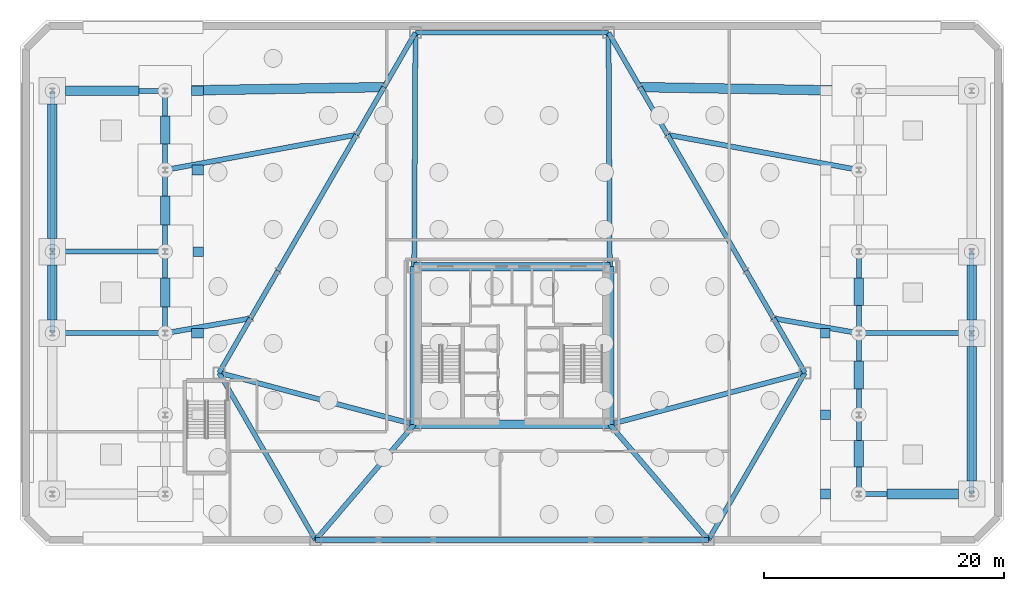
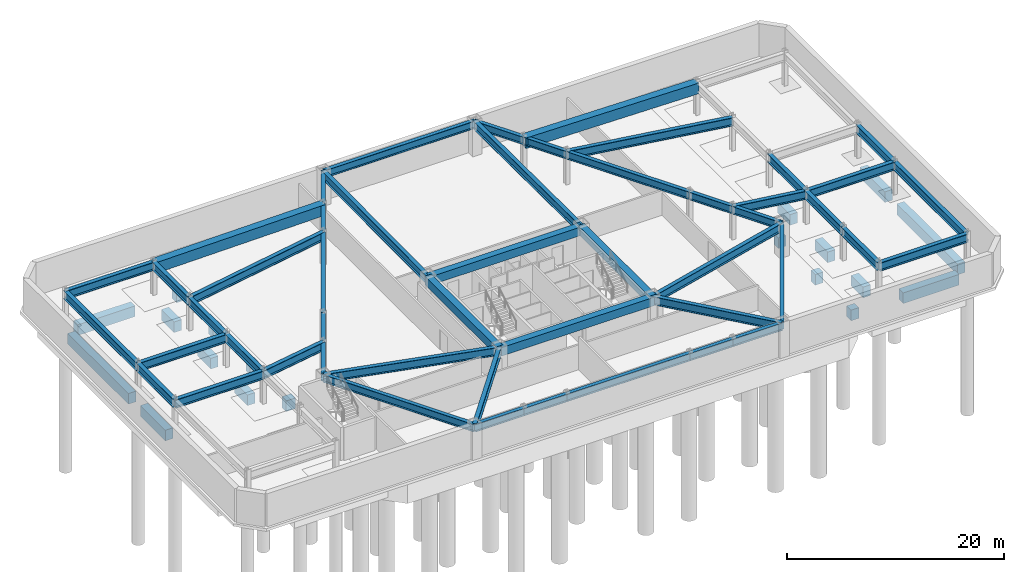
# One storey, part 4 of 8: 68 beams.
"""IFC4 building model written with IfcOpenShell, lengths in metres."""

from ifc_helpers import new_model, si_unit, direction, frame, origin, origin_2d, place, context, subcontext, project, spatial, rectangle, hollow_rectangle, i_section, extrude, material, material_profile, profile_set, type_object, element, save


model = new_model("IFC4")

# Units and contexts
model_context = context("Model", 3, precision=1e-05, world=origin(), true_north=direction((0.0, 1.0)))
body_context = subcontext(model_context, "Body", "Model", "MODEL_VIEW")
ifc_project = project(units=[si_unit("LENGTHUNIT", "METRE"), si_unit("AREAUNIT", "SQUARE_METRE"), si_unit("VOLUMEUNIT", "CUBIC_METRE"), si_unit("PLANEANGLEUNIT", "RADIAN"), si_unit("MASSUNIT", "GRAM", prefix="KILO")], contexts=[model_context])

# Site, building, storey
site_placement = place(None, origin())
site = spatial("IfcSite", under=ifc_project, at=site_placement, CompositionType="ELEMENT")
building_placement = place(site_placement, origin())
building = spatial("IfcBuilding", under=site, at=building_placement, Name="Oramaril Tower", CompositionType="ELEMENT")
storey_placement = place(building_placement, frame((0.0, 0.0, -8.0)))
storey = spatial("IfcBuildingStorey", under=building, at=storey_placement, Name="B02", CompositionType="ELEMENT", Elevation=-8.0)

# Beams
ifc_material_1 = material(Name="Concrete C50/60", Category="concrete")
ifc_material_profile_1 = material_profile(ifc_material_1, rectangle(XDim=0.699951171875, YDim=0.949951171875, at=origin_2d()), Name="CB700X950")
ifc_profile_set_1 = profile_set([ifc_material_profile_1], Name="Concrete C50/60")
beam_type_1 = type_object("IfcBeamType", Name="BT-CB1", PredefinedType="BEAM", material=ifc_profile_set_1)
beam_1_placement = place(storey_placement, frame((29.35009765625, 11.0, 3.2451171875), z_axis=(1.0, 0.0, 0.0), x_axis=(0.0, 1.0, 0.0)))
element("IfcBeam", 1, at=beam_1_placement, inside=storey, type_object=beam_type_1, Name="B02 Core Header Beam CB-1", PredefinedType="BEAM", context=body_context, shape_type="SweptSolid", body=[
    extrude(rectangle(XDim=0.699951171875, YDim=0.949951171875, at=origin_2d()), origin(), (0.0, 0.0, 1.0), 16.2998046875),
])
beam_2_placement = place(storey_placement, frame((45.64990234375, 11.0, 3.2451171875), z_axis=(0.0, 1.0, 0.0), x_axis=(-1.0, 0.0, 0.0)))
element("IfcBeam", 2, at=beam_2_placement, inside=storey, type_object=beam_type_1, Name="B02 Core Header Beam CB-2", PredefinedType="BEAM", context=body_context, shape_type="SweptSolid", body=[
    extrude(rectangle(XDim=0.699951171875, YDim=0.949951171875, at=origin_2d()), origin(), (0.0, 0.0, 1.0), 13.14990234375),
])
beam_3_placement = place(storey_placement, frame((45.64990234375, 24.14990234375, 3.2451171875), z_axis=(-1.0, 0.0, 0.0), x_axis=(0.0, -1.0, 0.0)))
element("IfcBeam", 3, at=beam_3_placement, inside=storey, type_object=beam_type_1, Name="B02 Core Header Beam CB-3", PredefinedType="BEAM", context=body_context, shape_type="SweptSolid", body=[
    extrude(rectangle(XDim=0.699951171875, YDim=0.949951171875, at=origin_2d()), origin(), (0.0, 0.0, 1.0), 16.2998046875),
])
beam_4_placement = place(storey_placement, frame((29.35009765625, 24.14990234375, 3.2451171875), z_axis=(0.0, -1.0, 0.0), x_axis=(1.0, 0.0, 0.0)))
element("IfcBeam", 4, at=beam_4_placement, inside=storey, type_object=beam_type_1, Name="B02 Core Header Beam CB-4", PredefinedType="BEAM", context=body_context, shape_type="SweptSolid", body=[
    extrude(rectangle(XDim=0.699951171875, YDim=0.949951171875, at=origin_2d()), origin(), (0.0, 0.0, 1.0), 13.14990234375),
])
ifc_material_2 = material(Name="Steel ASTM A572 Gr 50", Category="steel")
ifc_material_profile_2 = material_profile(ifc_material_2, i_section(OverallWidth=0.424072265625, OverallDepth=0.947021484375, WebThickness=0.02392578125, FlangeThickness=0.042724609375, at=origin_2d()), Name="W36X302")
ifc_profile_set_2 = profile_set([ifc_material_profile_2], Name="Steel ASTM A572 Gr 50")
beam_type_2 = type_object("IfcBeamType", Name="BT-PG1", PredefinedType="BEAM", material=ifc_profile_set_2)
beam_5_placement = place(storey_placement, frame((8.60009765625, 18.60009765625, 3.24658203125), z_axis=(0.985251471122, 0.171112649011, 0.0), x_axis=(-0.171112649011, 0.985251471122, 0.0)))
element("IfcBeam", 5, at=beam_5_placement, inside=storey, type_object=beam_type_2, Name="B02 Podium Clear-Span Girder 03", PredefinedType="BEAM", context=body_context, shape_type="SweptSolid", body=[
    extrude(i_section(OverallWidth=0.424072265625, OverallDepth=0.947021484375, WebThickness=0.02392578125, FlangeThickness=0.042724609375, at=origin_2d()), origin(), (0.0, 0.0, 1.0), 7.2138671875),
])
beam_6_placement = place(storey_placement, frame((8.60009765625, 32.199951171875, 3.24658203125), z_axis=(0.983441112449, 0.181227973404, 0.0), x_axis=(-0.181227973404, 0.983441112449, 0.0)))
element("IfcBeam", 6, at=beam_6_placement, inside=storey, type_object=beam_type_2, Name="B02 Podium Clear-Span Girder 05", PredefinedType="BEAM", context=body_context, shape_type="SweptSolid", body=[
    extrude(i_section(OverallWidth=0.424072265625, OverallDepth=0.947021484375, WebThickness=0.02392578125, FlangeThickness=0.042724609375, at=origin_2d()), origin(), (0.0, 0.0, 1.0), 16.211669921875),
])
beam_7_placement = place(storey_placement, frame((66.39990234375, 18.60009765625, 3.24658203125), z_axis=(-0.985251471122, 0.171112649011, 0.0), x_axis=(-0.171112649011, -0.985251471122, 0.0)))
element("IfcBeam", 7, at=beam_7_placement, inside=storey, type_object=beam_type_2, Name="B02 Podium Clear-Span Girder 09", PredefinedType="BEAM", context=body_context, shape_type="SweptSolid", body=[
    extrude(i_section(OverallWidth=0.424072265625, OverallDepth=0.947021484375, WebThickness=0.02392578125, FlangeThickness=0.042724609375, at=origin_2d()), origin(), (0.0, 0.0, 1.0), 7.2138671875),
])
beam_8_placement = place(storey_placement, frame((66.39990234375, 32.199951171875, 3.24658203125), z_axis=(-0.983441112449, 0.181227973404, 0.0), x_axis=(-0.181227973404, -0.983441112449, 0.0)))
element("IfcBeam", 8, at=beam_8_placement, inside=storey, type_object=beam_type_2, Name="B02 Podium Clear-Span Girder 11", PredefinedType="BEAM", context=body_context, shape_type="SweptSolid", body=[
    extrude(i_section(OverallWidth=0.424072265625, OverallDepth=0.947021484375, WebThickness=0.02392578125, FlangeThickness=0.042724609375, at=origin_2d()), origin(), (0.0, 0.0, 1.0), 16.211669921875),
])
for number, where, z_axis, x_axis, name in (
    (9, (-0.800048828125, 18.60009765625, 3.24658203125), (1.0, 0.0, 0.0), (0.0, 1.0, 0.0), "B02 Wing Transverse Girder 02"),
    (10, (-0.800048828125, 25.39990234375, 3.24658203125), (1.0, 0.0, 0.0), (0.0, 1.0, 0.0), "B02 Wing Transverse Girder 03"),
    (11, (-0.800048828125, 38.800048828125, 3.24658203125), (1.0, 0.0, 0.0), (0.0, 1.0, 0.0), "B02 Wing Transverse Girder 04"),
    (12, (66.39990234375, 5.199951171875, 3.24658203125), (1.0, 0.0, 0.0), (0.0, 1.0, 0.0), "B02 Wing Transverse Girder 05"),
    (13, (66.39990234375, 18.60009765625, 3.24658203125), (1.0, 0.0, 0.0), (0.0, 1.0, 0.0), "B02 Wing Transverse Girder 06"),
):
    element("IfcBeam", number, at=place(storey_placement, frame(where, z_axis=z_axis, x_axis=x_axis)), inside=storey, type_object=beam_type_2, Name=name, PredefinedType="BEAM", context=body_context, shape_type="SweptSolid", body=[
        extrude(i_section(OverallWidth=0.424072265625, OverallDepth=0.947021484375, WebThickness=0.02392578125, FlangeThickness=0.042724609375, at=origin_2d()), origin(), (0.0, 0.0, 1.0), 9.400146484375),
    ])
ifc_material_3 = material(Name="Steel ASTM A572 Gr 50", Category="steel")
ifc_material_profile_3 = material_profile(ifc_material_3, i_section(OverallWidth=0.4189453125, OverallDepth=0.927001953125, WebThickness=0.019287109375, FlangeThickness=0.031982421875, at=origin_2d()), Name="W36X231")
ifc_profile_set_3 = profile_set([ifc_material_profile_3], Name="Steel ASTM A572 Gr 50")
beam_type_3 = type_object("IfcBeamType", Name="BT-PG2", PredefinedType="BEAM", material=ifc_profile_set_3)
beam_9_placement = place(storey_placement, frame((29.35009765625, 11.0, 3.256591796875), z_axis=(-0.966766980937, 0.255659157024, 0.0), x_axis=(-0.255659157024, -0.966766980937, 0.0)))
element("IfcBeam", 14, at=beam_9_placement, inside=storey, type_object=beam_type_3, Name="B02 Radial Primary Beam RB-01", PredefinedType="BEAM", context=body_context, shape_type="SweptSolid", body=[
    extrude(i_section(OverallWidth=0.4189453125, OverallDepth=0.927001953125, WebThickness=0.019287109375, FlangeThickness=0.031982421875, at=origin_2d()), origin(), (0.0, 0.0, 1.0), 16.819580078125),
])
for number, where, z_axis, x_axis, name in (
    (15, (29.35009765625, 11.0, 3.256591796875), (-0.64848466157, -0.761227721322, 0.0), (0.761227721322, -0.64848466157, 0.0), "B02 Radial Primary Beam RB-02"),
    (16, (45.64990234375, 11.0, 3.256591796875), (0.64848466157, -0.761227721322, 0.0), (0.761227721322, 0.64848466157, 0.0), "B02 Radial Primary Beam RB-03"),
):
    element("IfcBeam", number, at=place(storey_placement, frame(where, z_axis=z_axis, x_axis=x_axis)), inside=storey, type_object=beam_type_3, Name=name, PredefinedType="BEAM", context=body_context, shape_type="SweptSolid", body=[
        extrude(i_section(OverallWidth=0.4189453125, OverallDepth=0.927001953125, WebThickness=0.019287109375, FlangeThickness=0.031982421875, at=origin_2d()), origin(), (0.0, 0.0, 1.0), 12.66357421875),
    ])
beam_10_placement = place(storey_placement, frame((45.64990234375, 11.0, 3.256591796875), z_axis=(0.966766980937, 0.255659157024, 0.0), x_axis=(-0.255659157024, 0.966766980937, 0.0)))
element("IfcBeam", 17, at=beam_10_placement, inside=storey, type_object=beam_type_3, Name="B02 Radial Primary Beam RB-04", PredefinedType="BEAM", context=body_context, shape_type="SweptSolid", body=[
    extrude(i_section(OverallWidth=0.4189453125, OverallDepth=0.927001953125, WebThickness=0.019287109375, FlangeThickness=0.031982421875, at=origin_2d()), origin(), (0.0, 0.0, 1.0), 16.819580078125),
])
for number, where, z_axis, x_axis, name in (
    (18, (45.64990234375, 24.14990234375, 3.256591796875), (-0.005223463456, 0.999986357622, 0.0), (-0.999986357622, -0.005223463456, 0.0), "B02 Radial Primary Beam RB-05"),
    (19, (29.35009765625, 24.14990234375, 3.256591796875), (0.005223463456, 0.999986357622, 0.0), (-0.999986357622, 0.005223463456, 0.0), "B02 Radial Primary Beam RB-06"),
):
    element("IfcBeam", number, at=place(storey_placement, frame(where, z_axis=z_axis, x_axis=x_axis)), inside=storey, type_object=beam_type_3, Name=name, PredefinedType="BEAM", context=body_context, shape_type="SweptSolid", body=[
        extrude(i_section(OverallWidth=0.4189453125, OverallDepth=0.927001953125, WebThickness=0.019287109375, FlangeThickness=0.031982421875, at=origin_2d()), origin(), (0.0, 0.0, 1.0), 19.490234375),
    ])
beam_11_placement = place(storey_placement, frame((8.60009765625, 18.60009765625, 3.256591796875), z_axis=(0.0, 1.0, 0.0), x_axis=(-1.0, 0.0, 0.0)))
element("IfcBeam", 20, at=beam_11_placement, inside=storey, type_object=beam_type_3, Name="B02 Podium Perimeter Girder 03", PredefinedType="BEAM", context=body_context, shape_type="SweptSolid", body=[
    extrude(i_section(OverallWidth=0.4189453125, OverallDepth=0.927001953125, WebThickness=0.019287109375, FlangeThickness=0.031982421875, at=origin_2d()), origin(), (0.0, 0.0, 1.0), 6.7998046875),
])
beam_12_placement = place(storey_placement, frame((8.60009765625, 25.39990234375, 3.256591796875), z_axis=(0.0, 1.0, 0.0), x_axis=(-1.0, 0.0, 0.0)))
element("IfcBeam", 21, at=beam_12_placement, inside=storey, type_object=beam_type_3, Name="B02 Podium Perimeter Girder 04", PredefinedType="BEAM", context=body_context, shape_type="SweptSolid", body=[
    extrude(i_section(OverallWidth=0.4189453125, OverallDepth=0.927001953125, WebThickness=0.019287109375, FlangeThickness=0.031982421875, at=origin_2d()), origin(), (0.0, 0.0, 1.0), 6.800048828125),
])
for number, where, z_axis, x_axis, name in (
    (22, (8.60009765625, 32.199951171875, 3.256591796875), (0.0, 1.0, 0.0), (-1.0, 0.0, 0.0), "B02 Podium Perimeter Girder 05"),
    (23, (66.39990234375, 5.199951171875, 3.256591796875), (0.0, 1.0, 0.0), (-1.0, 0.0, 0.0), "B02 Podium Perimeter Girder 07"),
):
    element("IfcBeam", number, at=place(storey_placement, frame(where, z_axis=z_axis, x_axis=x_axis)), inside=storey, type_object=beam_type_3, Name=name, PredefinedType="BEAM", context=body_context, shape_type="SweptSolid", body=[
        extrude(i_section(OverallWidth=0.4189453125, OverallDepth=0.927001953125, WebThickness=0.019287109375, FlangeThickness=0.031982421875, at=origin_2d()), origin(), (0.0, 0.0, 1.0), 6.60009765625),
    ])
beam_13_placement = place(storey_placement, frame((66.39990234375, 11.800048828125, 3.256591796875), z_axis=(0.0, 1.0, 0.0), x_axis=(-1.0, 0.0, 0.0)))
element("IfcBeam", 24, at=beam_13_placement, inside=storey, type_object=beam_type_3, Name="B02 Podium Perimeter Girder 08", PredefinedType="BEAM", context=body_context, shape_type="SweptSolid", body=[
    extrude(i_section(OverallWidth=0.4189453125, OverallDepth=0.927001953125, WebThickness=0.019287109375, FlangeThickness=0.031982421875, at=origin_2d()), origin(), (0.0, 0.0, 1.0), 6.800048828125),
])
for number, where, z_axis, x_axis, name in (
    (25, (66.39990234375, 18.60009765625, 3.256591796875), (0.0, 1.0, 0.0), (-1.0, 0.0, 0.0), "B02 Podium Perimeter Girder 09"),
    (26, (-0.800048828125, 18.60009765625, 3.256591796875), (0.0, 1.0, 0.0), (-1.0, 0.0, 0.0), "B02 Wing Perimeter Girder 02"),
):
    element("IfcBeam", number, at=place(storey_placement, frame(where, z_axis=z_axis, x_axis=x_axis)), inside=storey, type_object=beam_type_3, Name=name, PredefinedType="BEAM", context=body_context, shape_type="SweptSolid", body=[
        extrude(i_section(OverallWidth=0.4189453125, OverallDepth=0.927001953125, WebThickness=0.019287109375, FlangeThickness=0.031982421875, at=origin_2d()), origin(), (0.0, 0.0, 1.0), 6.7998046875),
    ])
for number, where, z_axis, x_axis, name in (
    (27, (-0.800048828125, 25.39990234375, 3.256591796875), (0.0, 1.0, 0.0), (-1.0, 0.0, 0.0), "B02 Wing Perimeter Girder 03"),
    (28, (75.800048828125, 5.199951171875, 3.256591796875), (0.0, 1.0, 0.0), (-1.0, 0.0, 0.0), "B02 Wing Perimeter Girder 05"),
):
    element("IfcBeam", number, at=place(storey_placement, frame(where, z_axis=z_axis, x_axis=x_axis)), inside=storey, type_object=beam_type_3, Name=name, PredefinedType="BEAM", context=body_context, shape_type="SweptSolid", body=[
        extrude(i_section(OverallWidth=0.4189453125, OverallDepth=0.927001953125, WebThickness=0.019287109375, FlangeThickness=0.031982421875, at=origin_2d()), origin(), (0.0, 0.0, 1.0), 13.400146484375),
    ])
beam_14_placement = place(storey_placement, frame((75.800048828125, 18.60009765625, 3.256591796875), z_axis=(0.0, 1.0, 0.0), x_axis=(-1.0, 0.0, 0.0)))
element("IfcBeam", 29, at=beam_14_placement, inside=storey, type_object=beam_type_3, Name="B02 Wing Perimeter Girder 06", PredefinedType="BEAM", context=body_context, shape_type="SweptSolid", body=[
    extrude(i_section(OverallWidth=0.4189453125, OverallDepth=0.927001953125, WebThickness=0.019287109375, FlangeThickness=0.031982421875, at=origin_2d()), origin(), (0.0, 0.0, 1.0), 6.7998046875),
])
ifc_material_4 = material(Name="Steel ASTM A572 Gr 50", Category="steel")
ifc_material_profile_4 = material_profile(ifc_material_4, i_section(OverallWidth=0.40087890625, OverallDepth=0.85595703125, WebThickness=0.018310546875, FlangeThickness=0.029296875, at=origin_2d()), Name="W33X201")
ifc_profile_set_4 = profile_set([ifc_material_profile_4], Name="Steel ASTM A572 Gr 50")
beam_type_4 = type_object("IfcBeamType", Name="BT-SP1", PredefinedType="SPANDREL", material=ifc_profile_set_4)
beam_15_placement = place(storey_placement, frame((13.089599609375, 15.300048828125, 3.2919921875), z_axis=(0.500005168208, -0.866022419898, 0.0), x_axis=(0.866022419898, 0.500005168208, 0.0)))
element("IfcBeam", 30, at=beam_15_placement, inside=storey, type_object=beam_type_4, Name="B02 Perimeter Spandrel 01", PredefinedType="SPANDREL", context=body_context, shape_type="SweptSolid", body=[
    extrude(i_section(OverallWidth=0.40087890625, OverallDepth=0.85595703125, WebThickness=0.018310546875, FlangeThickness=0.029296875, at=origin_2d()), origin(), (0.0, 0.0, 1.0), 16.096435546875),
])
beam_16_placement = place(storey_placement, frame((21.137939453125, 1.360107421875, 3.2919921875), z_axis=(1.0, 0.0, 0.0), x_axis=(0.0, 1.0, 0.0)))
element("IfcBeam", 31, at=beam_16_placement, inside=storey, type_object=beam_type_4, Name="B02 Perimeter Spandrel 02", PredefinedType="SPANDREL", context=body_context, shape_type="SweptSolid", body=[
    extrude(i_section(OverallWidth=0.40087890625, OverallDepth=0.85595703125, WebThickness=0.018310546875, FlangeThickness=0.029296875, at=origin_2d()), origin(), (0.0, 0.0, 1.0), 5.23583984375),
])
beam_17_placement = place(storey_placement, frame((26.373779296875, 1.360107421875, 3.2919921875), z_axis=(1.0, 0.0, 0.0), x_axis=(0.0, 1.0, 0.0)))
element("IfcBeam", 32, at=beam_17_placement, inside=storey, type_object=beam_type_4, Name="B02 Perimeter Spandrel 03", PredefinedType="SPANDREL", context=body_context, shape_type="SweptSolid", body=[
    extrude(i_section(OverallWidth=0.40087890625, OverallDepth=0.85595703125, WebThickness=0.018310546875, FlangeThickness=0.029296875, at=origin_2d()), origin(), (0.0, 0.0, 1.0), 4.581298828125),
])
beam_18_placement = place(storey_placement, frame((30.955078125, 1.360107421875, 3.2919921875), z_axis=(1.0, 0.0, 0.0), x_axis=(0.0, 1.0, 0.0)))
element("IfcBeam", 33, at=beam_18_placement, inside=storey, type_object=beam_type_4, Name="B02 Perimeter Spandrel 04", PredefinedType="SPANDREL", context=body_context, shape_type="SweptSolid", body=[
    extrude(i_section(OverallWidth=0.40087890625, OverallDepth=0.85595703125, WebThickness=0.018310546875, FlangeThickness=0.029296875, at=origin_2d()), origin(), (0.0, 0.0, 1.0), 13.08984375),
])
beam_19_placement = place(storey_placement, frame((44.044921875, 1.360107421875, 3.2919921875), z_axis=(1.0, 0.0, 0.0), x_axis=(0.0, 1.0, 0.0)))
element("IfcBeam", 34, at=beam_19_placement, inside=storey, type_object=beam_type_4, Name="B02 Perimeter Spandrel 05", PredefinedType="SPANDREL", context=body_context, shape_type="SweptSolid", body=[
    extrude(i_section(OverallWidth=0.40087890625, OverallDepth=0.85595703125, WebThickness=0.018310546875, FlangeThickness=0.029296875, at=origin_2d()), origin(), (0.0, 0.0, 1.0), 4.581298828125),
])
beam_20_placement = place(storey_placement, frame((48.626220703125, 1.360107421875, 3.2919921875), z_axis=(1.0, 0.0, 0.0), x_axis=(0.0, 1.0, 0.0)))
element("IfcBeam", 35, at=beam_20_placement, inside=storey, type_object=beam_type_4, Name="B02 Perimeter Spandrel 06", PredefinedType="SPANDREL", context=body_context, shape_type="SweptSolid", body=[
    extrude(i_section(OverallWidth=0.40087890625, OverallDepth=0.85595703125, WebThickness=0.018310546875, FlangeThickness=0.029296875, at=origin_2d()), origin(), (0.0, 0.0, 1.0), 5.23583984375),
])
beam_21_placement = place(storey_placement, frame((53.862060546875, 1.360107421875, 3.2919921875), z_axis=(0.500005168208, 0.866022419898, 0.0), x_axis=(-0.866022419898, 0.500005168208, 0.0)))
element("IfcBeam", 36, at=beam_21_placement, inside=storey, type_object=beam_type_4, Name="B02 Perimeter Spandrel 07", PredefinedType="SPANDREL", context=body_context, shape_type="SweptSolid", body=[
    extrude(i_section(OverallWidth=0.40087890625, OverallDepth=0.85595703125, WebThickness=0.018310546875, FlangeThickness=0.029296875, at=origin_2d()), origin(), (0.0, 0.0, 1.0), 16.096435546875),
])
beam_22_placement = place(storey_placement, frame((61.910400390625, 15.300048828125, 3.2919921875), z_axis=(-0.499995574394, 0.866027958894, 0.0), x_axis=(-0.866027958894, -0.499995574394, 0.0)))
element("IfcBeam", 37, at=beam_22_placement, inside=storey, type_object=beam_type_4, Name="B02 Perimeter Spandrel 08", PredefinedType="SPANDREL", context=body_context, shape_type="SweptSolid", body=[
    extrude(i_section(OverallWidth=0.40087890625, OverallDepth=0.85595703125, WebThickness=0.018310546875, FlangeThickness=0.029296875, at=origin_2d()), origin(), (0.0, 0.0, 1.0), 5.23583984375),
])
beam_23_placement = place(storey_placement, frame((59.29248046875, 19.83447265625, 3.2919921875), z_axis=(-0.500019215235, 0.866014309579, 0.0), x_axis=(-0.866014309579, -0.500019215235, 0.0)))
element("IfcBeam", 38, at=beam_23_placement, inside=storey, type_object=beam_type_4, Name="B02 Perimeter Spandrel 09", PredefinedType="SPANDREL", context=body_context, shape_type="SweptSolid", body=[
    extrude(i_section(OverallWidth=0.40087890625, OverallDepth=0.85595703125, WebThickness=0.018310546875, FlangeThickness=0.029296875, at=origin_2d()), origin(), (0.0, 0.0, 1.0), 4.581298828125),
])
beam_24_placement = place(storey_placement, frame((57.001708984375, 23.802001953125, 3.2919921875), z_axis=(-0.50000660679, 0.866021589319, 0.0), x_axis=(-0.866021589319, -0.50000660679, 0.0)))
element("IfcBeam", 39, at=beam_24_placement, inside=storey, type_object=beam_type_4, Name="B02 Perimeter Spandrel 10", PredefinedType="SPANDREL", context=body_context, shape_type="SweptSolid", body=[
    extrude(i_section(OverallWidth=0.40087890625, OverallDepth=0.85595703125, WebThickness=0.018310546875, FlangeThickness=0.029296875, at=origin_2d()), origin(), (0.0, 0.0, 1.0), 13.089599609375),
])
beam_25_placement = place(storey_placement, frame((50.456787109375, 35.137939453125, 3.2919921875), z_axis=(-0.499996140324, 0.866027632158, 0.0), x_axis=(-0.866027632158, -0.499996140324, 0.0)))
element("IfcBeam", 40, at=beam_25_placement, inside=storey, type_object=beam_type_4, Name="B02 Perimeter Spandrel 11", PredefinedType="SPANDREL", context=body_context, shape_type="SweptSolid", body=[
    extrude(i_section(OverallWidth=0.40087890625, OverallDepth=0.85595703125, WebThickness=0.018310546875, FlangeThickness=0.029296875, at=origin_2d()), origin(), (0.0, 0.0, 1.0), 4.58154296875),
])
beam_26_placement = place(storey_placement, frame((48.166015625, 39.105712890625, 3.2919921875), z_axis=(-0.500015765613, 0.866016301312, 0.0), x_axis=(-0.866016301312, -0.500015765613, 0.0)))
element("IfcBeam", 41, at=beam_26_placement, inside=storey, type_object=beam_type_4, Name="B02 Perimeter Spandrel 12", PredefinedType="SPANDREL", context=body_context, shape_type="SweptSolid", body=[
    extrude(i_section(OverallWidth=0.40087890625, OverallDepth=0.85595703125, WebThickness=0.018310546875, FlangeThickness=0.029296875, at=origin_2d()), origin(), (0.0, 0.0, 1.0), 5.235595703125),
])
beam_27_placement = place(storey_placement, frame((45.548095703125, 43.639892578125, 3.2919921875), z_axis=(-1.0, 0.0, 0.0), x_axis=(0.0, -1.0, 0.0)))
element("IfcBeam", 42, at=beam_27_placement, inside=storey, type_object=beam_type_4, Name="B02 Perimeter Spandrel 13", PredefinedType="SPANDREL", context=body_context, shape_type="SweptSolid", body=[
    extrude(i_section(OverallWidth=0.40087890625, OverallDepth=0.85595703125, WebThickness=0.018310546875, FlangeThickness=0.029296875, at=origin_2d()), origin(), (0.0, 0.0, 1.0), 16.09619140625),
])
beam_28_placement = place(storey_placement, frame((29.451904296875, 43.639892578125, 3.2919921875), z_axis=(-0.500015765613, -0.866016301312, 0.0), x_axis=(0.866016301312, -0.500015765613, 0.0)))
element("IfcBeam", 43, at=beam_28_placement, inside=storey, type_object=beam_type_4, Name="B02 Perimeter Spandrel 14", PredefinedType="SPANDREL", context=body_context, shape_type="SweptSolid", body=[
    extrude(i_section(OverallWidth=0.40087890625, OverallDepth=0.85595703125, WebThickness=0.018310546875, FlangeThickness=0.029296875, at=origin_2d()), origin(), (0.0, 0.0, 1.0), 5.235595703125),
])
beam_29_placement = place(storey_placement, frame((26.833984375, 39.105712890625, 3.2919921875), z_axis=(-0.499996140324, -0.866027632158, 0.0), x_axis=(0.866027632158, -0.499996140324, 0.0)))
element("IfcBeam", 44, at=beam_29_placement, inside=storey, type_object=beam_type_4, Name="B02 Perimeter Spandrel 15", PredefinedType="SPANDREL", context=body_context, shape_type="SweptSolid", body=[
    extrude(i_section(OverallWidth=0.40087890625, OverallDepth=0.85595703125, WebThickness=0.018310546875, FlangeThickness=0.029296875, at=origin_2d()), origin(), (0.0, 0.0, 1.0), 4.58154296875),
])
beam_30_placement = place(storey_placement, frame((24.543212890625, 35.137939453125, 3.2919921875), z_axis=(-0.50000660679, -0.866021589319, 0.0), x_axis=(0.866021589319, -0.50000660679, 0.0)))
element("IfcBeam", 45, at=beam_30_placement, inside=storey, type_object=beam_type_4, Name="B02 Perimeter Spandrel 16", PredefinedType="SPANDREL", context=body_context, shape_type="SweptSolid", body=[
    extrude(i_section(OverallWidth=0.40087890625, OverallDepth=0.85595703125, WebThickness=0.018310546875, FlangeThickness=0.029296875, at=origin_2d()), origin(), (0.0, 0.0, 1.0), 13.089599609375),
])
beam_31_placement = place(storey_placement, frame((17.998291015625, 23.802001953125, 3.2919921875), z_axis=(-0.500019215235, -0.866014309579, 0.0), x_axis=(0.866014309579, -0.500019215235, 0.0)))
element("IfcBeam", 46, at=beam_31_placement, inside=storey, type_object=beam_type_4, Name="B02 Perimeter Spandrel 17", PredefinedType="SPANDREL", context=body_context, shape_type="SweptSolid", body=[
    extrude(i_section(OverallWidth=0.40087890625, OverallDepth=0.85595703125, WebThickness=0.018310546875, FlangeThickness=0.029296875, at=origin_2d()), origin(), (0.0, 0.0, 1.0), 4.581298828125),
])
beam_32_placement = place(storey_placement, frame((15.70751953125, 19.83447265625, 3.2919921875), z_axis=(-0.499995574394, -0.866027958894, 0.0), x_axis=(0.866027958894, -0.499995574394, 0.0)))
element("IfcBeam", 47, at=beam_32_placement, inside=storey, type_object=beam_type_4, Name="B02 Perimeter Spandrel 18", PredefinedType="SPANDREL", context=body_context, shape_type="SweptSolid", body=[
    extrude(i_section(OverallWidth=0.40087890625, OverallDepth=0.85595703125, WebThickness=0.018310546875, FlangeThickness=0.029296875, at=origin_2d()), origin(), (0.0, 0.0, 1.0), 5.23583984375),
])
ifc_material_5 = material(Name="Concrete C50/60", Category="concrete")
ifc_material_profile_5 = material_profile(ifc_material_5, rectangle(XDim=0.800048828125, YDim=1.199951171875, at=origin_2d()), Name="TB800X1200")
ifc_profile_set_5 = profile_set([ifc_material_profile_5], Name="Concrete C50/60")
beam_type_5 = type_object("IfcBeamType", Name="BT-TB1", PredefinedType="BEAM", material=ifc_profile_set_5)
beam_33_placement = place(storey_placement, frame((8.60009765625, 20.800048828125, -0.949951171875), z_axis=(0.0, 1.0, 0.0), x_axis=(-1.0, 0.0, 0.0)))
element("IfcBeam", 48, at=beam_33_placement, inside=storey, type_object=beam_type_5, Name="Foundation Tie Beam TB-03", PredefinedType="BEAM", context=body_context, shape_type="SweptSolid", body=[
    extrude(rectangle(XDim=0.800048828125, YDim=1.199951171875, at=origin_2d()), origin(), (0.0, 0.0, 1.0), 2.39990234375),
])
beam_34_placement = place(storey_placement, frame((8.60009765625, 27.60009765625, -0.949951171875), z_axis=(0.0, 1.0, 0.0), x_axis=(-1.0, 0.0, 0.0)))
element("IfcBeam", 49, at=beam_34_placement, inside=storey, type_object=beam_type_5, Name="Foundation Tie Beam TB-04", PredefinedType="BEAM", context=body_context, shape_type="SweptSolid", body=[
    extrude(rectangle(XDim=0.800048828125, YDim=1.199951171875, at=origin_2d()), origin(), (0.0, 0.0, 1.0), 2.449951171875),
])
beam_35_placement = place(storey_placement, frame((8.60009765625, 34.35009765625, -0.949951171875), z_axis=(0.0, 1.0, 0.0), x_axis=(-1.0, 0.0, 0.0)))
element("IfcBeam", 50, at=beam_35_placement, inside=storey, type_object=beam_type_5, Name="Foundation Tie Beam TB-05", PredefinedType="BEAM", context=body_context, shape_type="SweptSolid", body=[
    extrude(rectangle(XDim=0.800048828125, YDim=1.199951171875, at=origin_2d()), origin(), (0.0, 0.0, 1.0), 2.349853515625),
])
beam_36_placement = place(storey_placement, frame((66.39990234375, 7.449951171875, -0.949951171875), z_axis=(0.0, 1.0, 0.0), x_axis=(-1.0, 0.0, 0.0)))
element("IfcBeam", 51, at=beam_36_placement, inside=storey, type_object=beam_type_5, Name="Foundation Tie Beam TB-06", PredefinedType="BEAM", context=body_context, shape_type="SweptSolid", body=[
    extrude(rectangle(XDim=0.800048828125, YDim=1.199951171875, at=origin_2d()), origin(), (0.0, 0.0, 1.0), 2.199951171875),
])
beam_37_placement = place(storey_placement, frame((66.39990234375, 13.949951171875, -0.949951171875), z_axis=(0.0, 1.0, 0.0), x_axis=(-1.0, 0.0, 0.0)))
element("IfcBeam", 52, at=beam_37_placement, inside=storey, type_object=beam_type_5, Name="Foundation Tie Beam TB-07", PredefinedType="BEAM", context=body_context, shape_type="SweptSolid", body=[
    extrude(rectangle(XDim=0.800048828125, YDim=1.199951171875, at=origin_2d()), origin(), (0.0, 0.0, 1.0), 2.35009765625),
])
beam_38_placement = place(storey_placement, frame((66.39990234375, 20.89990234375, -0.949951171875), z_axis=(0.0, 1.0, 0.0), x_axis=(-1.0, 0.0, 0.0)))
element("IfcBeam", 53, at=beam_38_placement, inside=storey, type_object=beam_type_5, Name="Foundation Tie Beam TB-08", PredefinedType="BEAM", context=body_context, shape_type="SweptSolid", body=[
    extrude(rectangle(XDim=0.800048828125, YDim=1.199951171875, at=origin_2d()), origin(), (0.0, 0.0, 1.0), 2.300048828125),
])
beam_39_placement = place(storey_placement, frame((10.800048828125, 18.60009765625, -0.949951171875), z_axis=(1.0, 0.0, 0.0), x_axis=(0.0, 1.0, 0.0)))
element("IfcBeam", 54, at=beam_39_placement, inside=storey, type_object=beam_type_5, Name="Foundation Tie Beam TB-13", PredefinedType="BEAM", context=body_context, shape_type="SweptSolid", body=[
    extrude(rectangle(XDim=0.800048828125, YDim=1.199951171875, at=origin_2d()), origin(), (0.0, 0.0, 1.0), 1.0),
])
beam_40_placement = place(storey_placement, frame((10.89990234375, 25.39990234375, -0.949951171875), z_axis=(1.0, 0.0, 0.0), x_axis=(0.0, 1.0, 0.0)))
element("IfcBeam", 55, at=beam_40_placement, inside=storey, type_object=beam_type_5, Name="Foundation Tie Beam TB-14", PredefinedType="BEAM", context=body_context, shape_type="SweptSolid", body=[
    extrude(rectangle(XDim=0.800048828125, YDim=1.199951171875, at=origin_2d()), origin(), (0.0, 0.0, 1.0), 0.900146484375),
])
beam_41_placement = place(storey_placement, frame((10.85009765625, 32.199951171875, -0.949951171875), z_axis=(1.0, 0.0, 0.0), x_axis=(0.0, 1.0, 0.0)))
element("IfcBeam", 56, at=beam_41_placement, inside=storey, type_object=beam_type_5, Name="Foundation Tie Beam TB-15", PredefinedType="BEAM", context=body_context, shape_type="SweptSolid", body=[
    extrude(rectangle(XDim=0.800048828125, YDim=1.199951171875, at=origin_2d()), origin(), (0.0, 0.0, 1.0), 0.949951171875),
])
beam_42_placement = place(storey_placement, frame((10.800048828125, 38.800048828125, -0.949951171875), z_axis=(1.0, 0.0, 0.0), x_axis=(0.0, 1.0, 0.0)))
element("IfcBeam", 57, at=beam_42_placement, inside=storey, type_object=beam_type_5, Name="Foundation Tie Beam TB-16", PredefinedType="BEAM", context=body_context, shape_type="SweptSolid", body=[
    extrude(rectangle(XDim=0.800048828125, YDim=1.199951171875, at=origin_2d()), origin(), (0.0, 0.0, 1.0), 1.0),
])
for number, where, z_axis, x_axis, name in (
    (58, (63.199951171875, 5.199951171875, -0.949951171875), (1.0, 0.0, 0.0), (0.0, 1.0, 0.0), "Foundation Tie Beam TB-17"),
    (59, (63.199951171875, 11.800048828125, -0.949951171875), (1.0, 0.0, 0.0), (0.0, 1.0, 0.0), "Foundation Tie Beam TB-18"),
):
    element("IfcBeam", number, at=place(storey_placement, frame(where, z_axis=z_axis, x_axis=x_axis)), inside=storey, type_object=beam_type_5, Name=name, PredefinedType="BEAM", context=body_context, shape_type="SweptSolid", body=[
        extrude(rectangle(XDim=0.800048828125, YDim=1.199951171875, at=origin_2d()), origin(), (0.0, 0.0, 1.0), 0.85009765625),
    ])
beam_43_placement = place(storey_placement, frame((63.199951171875, 18.60009765625, -0.949951171875), z_axis=(1.0, 0.0, 0.0), x_axis=(0.0, 1.0, 0.0)))
element("IfcBeam", 60, at=beam_43_placement, inside=storey, type_object=beam_type_5, Name="Foundation Tie Beam TB-19", PredefinedType="BEAM", context=body_context, shape_type="SweptSolid", body=[
    extrude(rectangle(XDim=0.800048828125, YDim=1.199951171875, at=origin_2d()), origin(), (0.0, 0.0, 1.0), 0.800048828125),
])
beam_44_placement = place(storey_placement, frame((-0.800048828125, 19.699951171875, -0.949951171875), z_axis=(0.0, 1.0, 0.0), x_axis=(-1.0, 0.0, 0.0)))
element("IfcBeam", 61, at=beam_44_placement, inside=storey, type_object=beam_type_5, Name="Foundation Tie Beam TB-24", PredefinedType="BEAM", context=body_context, shape_type="SweptSolid", body=[
    extrude(rectangle(XDim=0.800048828125, YDim=1.199951171875, at=origin_2d()), origin(), (0.0, 0.0, 1.0), 4.60009765625),
])
for number, where, z_axis, x_axis, name in (
    (62, (-0.800048828125, 26.5, -0.949951171875), (0.0, 1.0, 0.0), (-1.0, 0.0, 0.0), "Foundation Tie Beam TB-25"),
    (63, (75.800048828125, 6.300048828125, -0.949951171875), (0.0, 1.0, 0.0), (-1.0, 0.0, 0.0), "Foundation Tie Beam TB-26"),
):
    element("IfcBeam", number, at=place(storey_placement, frame(where, z_axis=z_axis, x_axis=x_axis)), inside=storey, type_object=beam_type_5, Name=name, PredefinedType="BEAM", context=body_context, shape_type="SweptSolid", body=[
        extrude(rectangle(XDim=0.800048828125, YDim=1.199951171875, at=origin_2d()), origin(), (0.0, 0.0, 1.0), 11.199951171875),
    ])
beam_45_placement = place(storey_placement, frame((75.800048828125, 19.699951171875, -0.949951171875), z_axis=(0.0, 1.0, 0.0), x_axis=(-1.0, 0.0, 0.0)))
element("IfcBeam", 64, at=beam_45_placement, inside=storey, type_object=beam_type_5, Name="Foundation Tie Beam TB-27", PredefinedType="BEAM", context=body_context, shape_type="SweptSolid", body=[
    extrude(rectangle(XDim=0.800048828125, YDim=1.199951171875, at=origin_2d()), origin(), (0.0, 0.0, 1.0), 4.60009765625),
])
beam_46_placement = place(storey_placement, frame((0.300048828125, 38.800048828125, -0.949951171875), z_axis=(1.0, 0.0, 0.0), x_axis=(0.0, 1.0, 0.0)))
element("IfcBeam", 65, at=beam_46_placement, inside=storey, type_object=beam_type_5, Name="Foundation Tie Beam TB-30", PredefinedType="BEAM", context=body_context, shape_type="SweptSolid", body=[
    extrude(rectangle(XDim=0.800048828125, YDim=1.199951171875, at=origin_2d()), origin(), (0.0, 0.0, 1.0), 6.099853515625),
])
beam_47_placement = place(storey_placement, frame((68.75, 5.199951171875, -0.949951171875), z_axis=(1.0, 0.0, 0.0), x_axis=(0.0, 1.0, 0.0)))
element("IfcBeam", 66, at=beam_47_placement, inside=storey, type_object=beam_type_5, Name="Foundation Tie Beam TB-31", PredefinedType="BEAM", context=body_context, shape_type="SweptSolid", body=[
    extrude(rectangle(XDim=0.800048828125, YDim=1.199951171875, at=origin_2d()), origin(), (0.0, 0.0, 1.0), 5.949951171875),
])
ifc_material_6 = material(Name="Steel ASTM A572 Gr 50", Category="steel")
ifc_material_profile_6 = material_profile(ifc_material_6, hollow_rectangle(XDim=0.800048828125, YDim=1.199951171875, WallThickness=0.074951171875, at=origin_2d()), Name="BOX1200X800X75")
ifc_profile_set_6 = profile_set([ifc_material_profile_6], Name="Steel ASTM A572 Gr 50")
beam_type_6 = type_object("IfcBeamType", Name="BT-TT1", PredefinedType="BEAM", material=ifc_profile_set_6)
for number, where, z_axis, x_axis, name in (
    (67, (8.60009765625, 38.800048828125, 3.1201171875), (0.999859521862, 0.016761161682, 0.0), (-0.016761161682, 0.999859521862, 0.0), "B02 Podium Clear-Span Girder 06"),
    (68, (66.39990234375, 38.800048828125, 3.1201171875), (-0.999859521862, 0.016761161682, 0.0), (-0.016761161682, -0.999859521862, 0.0), "B02 Podium Clear-Span Girder 12"),
):
    element("IfcBeam", number, at=place(storey_placement, frame(where, z_axis=z_axis, x_axis=x_axis)), inside=storey, type_object=beam_type_6, Name=name, PredefinedType="BEAM", context=body_context, shape_type="SweptSolid", body=[
        extrude(hollow_rectangle(XDim=0.800048828125, YDim=1.199951171875, WallThickness=0.074951171875, at=origin_2d()), origin(), (0.0, 0.0, 1.0), 18.236328125),
    ])

save(model, "model.ifc")
